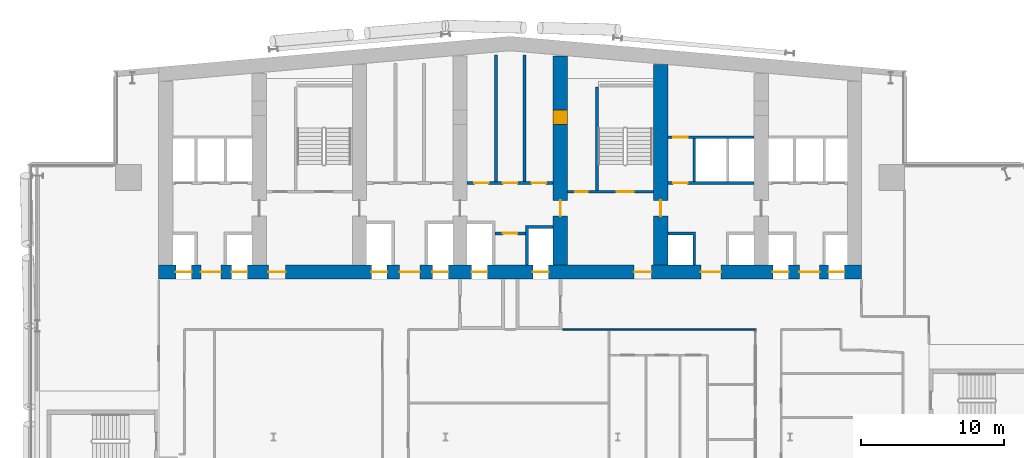
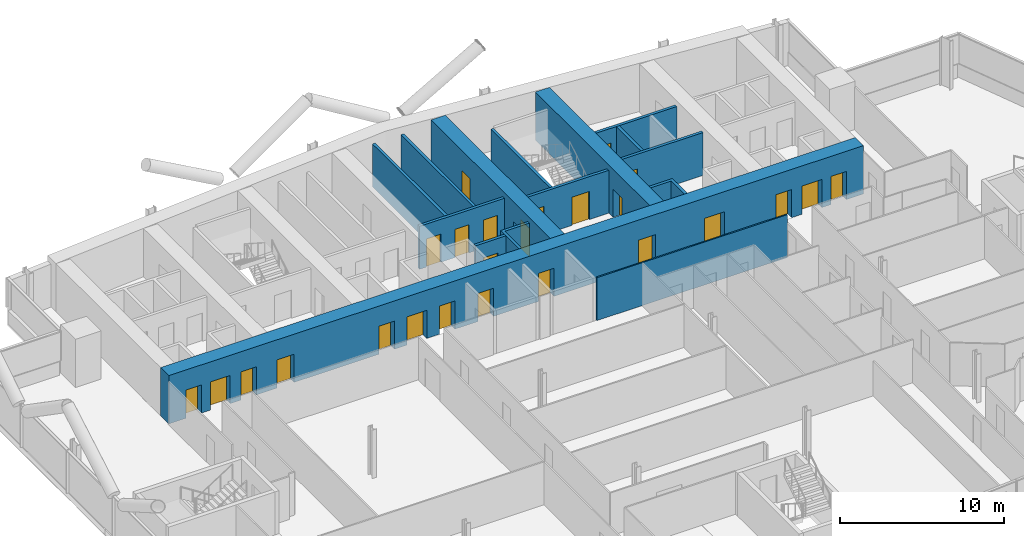
# One storey, part 17 of 27: 25 doors, 15 walls, 25 openings.
"""IFC4 building model written with IfcOpenShell, lengths in metres."""

from ifc_helpers import new_model, si_unit, direction, frame, frame_2d, origin, place, context, subcontext, project, spatial, polyline, rectangle, outline, extrude, material, layer, layer_set, type_object, element, fill, save


model = new_model("IFC4")

# Units and contexts
model_context = context("Model", 3, precision=1e-05, world=origin(), true_north=direction((0.0, 1.0)))
body_context = subcontext(model_context, "Body", "Model", "MODEL_VIEW")
ifc_project = project(units=[si_unit("LENGTHUNIT", "METRE"), si_unit("AREAUNIT", "SQUARE_METRE"), si_unit("VOLUMEUNIT", "CUBIC_METRE"), si_unit("PLANEANGLEUNIT", "RADIAN"), si_unit("MASSUNIT", "GRAM", prefix="KILO")], contexts=[model_context])

# Site, building, storey
site_placement = place(None, origin())
site = spatial("IfcSite", under=ifc_project, at=site_placement, CompositionType="ELEMENT")
building_placement = place(site_placement, origin())
building = spatial("IfcBuilding", under=site, at=building_placement, Name="Wharfspan Tower", CompositionType="ELEMENT")
storey_placement = place(building_placement, frame((0.0, 0.0, 118.300049)))
storey = spatial("IfcBuildingStorey", under=building, at=storey_placement, Name="L27", CompositionType="ELEMENT", Elevation=118.300049)

# Wall
ifc_material_1 = material(Name="Gypsum board on steel studs", Category="steel")
ifc_layer_1 = layer(ifc_material_1, 0.100098)
ifc_layer_set_1 = layer_set([ifc_layer_1], Name="Gypsum board on steel studs")
wall_type_1 = type_object("IfcWallType", Name="Compartment wall 100 EI 60", PredefinedType="PARTITIONING", material=ifc_layer_set_1)
wall_1_placement = place(storey_placement, frame((44.149902, 30.5, 0.0), z_axis=(0.0, 0.0, 1.0), x_axis=(1.0, 0.0, 0.0)))
element("IfcWall", 1, at=wall_1_placement, inside=storey, type_object=wall_type_1, Name="Partition L27.w020 (3)", PredefinedType="PARTITIONING", context=body_context, shape_type="SweptSolid", body=[
    extrude(rectangle(XDim=13.450195, YDim=0.100098, at=frame_2d((6.725098, 0.0))), origin(), (0.0, 0.0, 1.0), 3.199951),
])

# Wall, opening, door
ifc_material_2 = material(Name="Calcium silicate masonry", Category="masonry")
ifc_layer_2 = layer(ifc_material_2, 0.199951)
ifc_layer_set_2 = layer_set([ifc_layer_2], Name="Calcium silicate masonry")
wall_type_2 = type_object("IfcWallType", Name="Core room wall 200", PredefinedType="PARTITIONING", material=ifc_layer_set_2)
wall_2_placement = place(storey_placement, frame((39.43335, 37.199951, 0.0), z_axis=(0.0, 0.0, 1.0), x_axis=(1.0, 0.0, 0.0)))
wall_2 = element("IfcWall", 2, at=wall_2_placement, inside=storey, type_object=wall_type_2, Name="sw:L27:FR4.2", PredefinedType="PARTITIONING", context=body_context, shape_type="SweptSolid", body=[
    extrude(rectangle(XDim=2.133301, YDim=0.199951, at=frame_2d((1.06665, 0.0))), origin(), (0.0, 0.0, 1.0), 3.199951),
])
opening_1_placement = place(wall_2_placement, frame((0.56665, 0.0, 0.0)))
opening_1 = element("IfcOpeningElement", 3, at=opening_1_placement, cuts=wall_2, Name="Opening CD27.4H2", PredefinedType="OPENING", context=body_context, shape_type="SweptSolid", body=[
    extrude(rectangle(XDim=1.0, YDim=2.100098, at=frame_2d((0.5, 1.050049))), frame((0.0, 0.109863, 0.0), z_axis=(0.0, -1.0, 0.0), x_axis=(1.0, 0.0, 0.0)), (0.0, 0.0, 1.0), 0.219971),
])
ifc_material_3 = material(Name="Steel door leaf", Category="steel")
door_type_1 = type_object("IfcDoorType", Name="Core room door 1000x2100", OperationType="SINGLE_SWING_LEFT", PredefinedType="DOOR", material=ifc_material_3)
door_1_placement = place(opening_1_placement, origin())
door_1 = element("IfcDoor", 4, at=door_1_placement, inside=storey, type_object=door_type_1, Name="d:L27:4:fh4.2", OperationType="SINGLE_SWING_RIGHT", OverallHeight=2.100098, OverallWidth=1.0, PredefinedType="DOOR", context=body_context, shape_type="SweptSolid", body=[
    extrude(rectangle(XDim=1.0, YDim=2.100098, at=frame_2d((0.5, 1.050049))), frame((0.0, 0.024902, 0.0), z_axis=(0.0, -1.0, 0.0), x_axis=(1.0, 0.0, 0.0)), (0.0, 0.0, 1.0), 0.050049),
])
fill(opening_1, door_1)

# Walls
for number, where, z_axis, x_axis, name in (
    (5, (39.5, 40.800049, 0.0), (0.0, 0.0, 1.0), (0.0, 1.0, 0.0), "sw:L27:RP4.1"),
    (6, (41.5, 40.800049, 0.0), (0.0, 0.0, 1.0), (0.0, 1.0, 0.0), "sw:L27:RP4.2"),
):
    element("IfcWall", number, at=place(storey_placement, frame(where, z_axis=z_axis, x_axis=x_axis)), inside=storey, type_object=wall_type_2, Name=name, PredefinedType="PARTITIONING", context=body_context, shape_type="SweptSolid", body=[
        extrude(rectangle(XDim=8.844482, YDim=0.199951, at=frame_2d((4.422363, 0.0))), origin(), (0.0, 0.0, 1.0), 3.199951),
    ])

# Wall, openings, doors
ifc_material_4 = material(Name="Concrete C70/85", Category="concrete")
ifc_layer_3 = layer(ifc_material_4, 1.0)
ifc_layer_set_3 = layer_set([ifc_layer_3], Name="Concrete C70/85")
wall_type_3 = type_object("IfcWallType", Name="Core wall 1000 C70/85", PredefinedType="SHEAR", material=ifc_layer_set_3)
wall_3_placement = place(storey_placement, frame((16.0, 34.5, 0.0), z_axis=(0.0, 0.0, 1.0), x_axis=(1.0, 0.0, 0.0)))
wall_3 = element("IfcWall", 7, at=wall_3_placement, inside=storey, type_object=wall_type_3, Name="Core front wall L27", PredefinedType="SHEAR", context=body_context, shape_type="SweptSolid", body=[
    extrude(rectangle(XDim=49.0, YDim=1.0, at=frame_2d((24.5, 0.0))), origin(), (0.0, 0.0, 1.0), 3.599854),
])
opening_2_placement = place(wall_3_placement, frame((1.199951, 0.0, 0.0)))
opening_2 = element("IfcOpeningElement", 8, at=opening_2_placement, cuts=wall_3, Name="Opening LD.LA1.L27", PredefinedType="OPENING", context=body_context, shape_type="SweptSolid", body=[
    extrude(rectangle(XDim=1.100098, YDim=2.100098, at=frame_2d((0.550049, 1.050049))), frame((0.0, 0.51001, 0.0), z_axis=(0.0, -1.0, 0.0), x_axis=(1.0, 0.0, 0.0)), (0.0, 0.0, 1.0), 1.02002),
])
opening_3_placement = place(wall_3_placement, frame((5.083252, 0.0, 0.0)))
opening_3 = element("IfcOpeningElement", 9, at=opening_3_placement, cuts=wall_3, Name="Opening LD.LA2.L27", PredefinedType="OPENING", context=body_context, shape_type="SweptSolid", body=[
    extrude(rectangle(XDim=1.100098, YDim=2.100098, at=frame_2d((0.550049, 1.050049))), frame((0.0, 0.51001, 0.0), z_axis=(0.0, -1.0, 0.0), x_axis=(1.0, 0.0, 0.0)), (0.0, 0.0, 1.0), 1.02002),
])
opening_4_placement = place(wall_3_placement, frame((2.93335, 0.0, 0.0)))
opening_4 = element("IfcOpeningElement", 10, at=opening_4_placement, cuts=wall_3, Name="Opening HD27.1", PredefinedType="OPENING", context=body_context, shape_type="SweptSolid", body=[
    extrude(rectangle(XDim=1.399902, YDim=2.100098, at=frame_2d((0.699951, 1.050049))), frame((0.0, 0.51001, 0.0), z_axis=(0.0, -1.0, 0.0), x_axis=(1.0, 0.0, 0.0)), (0.0, 0.0, 1.0), 1.02002),
])
opening_5_placement = place(wall_3_placement, frame((7.649902, 0.0, 0.0)))
opening_5 = element("IfcOpeningElement", 11, at=opening_5_placement, cuts=wall_3, Name="Opening SV2.L27", PredefinedType="OPENING", context=body_context, shape_type="SweptSolid", body=[
    extrude(rectangle(XDim=1.199951, YDim=2.100098, at=frame_2d((0.600098, 1.050049))), frame((0.0, 0.51001, 0.0), z_axis=(0.0, -1.0, 0.0), x_axis=(1.0, 0.0, 0.0)), (0.0, 0.0, 1.0), 1.02002),
])
opening_6_placement = place(wall_3_placement, frame((14.81665, 0.0, 0.0)))
opening_6 = element("IfcOpeningElement", 12, at=opening_6_placement, cuts=wall_3, Name="Opening LD.SL1.L27", PredefinedType="OPENING", context=body_context, shape_type="SweptSolid", body=[
    extrude(rectangle(XDim=1.100098, YDim=2.100098, at=frame_2d((0.550049, 1.050049))), frame((0.0, 0.51001, 0.0), z_axis=(0.0, -1.0, 0.0), x_axis=(1.0, 0.0, 0.0)), (0.0, 0.0, 1.0), 1.02002),
])
opening_7_placement = place(wall_3_placement, frame((19.083252, 0.0, 0.0)))
opening_7 = element("IfcOpeningElement", 13, at=opening_7_placement, cuts=wall_3, Name="Opening LD.SL2.L27", PredefinedType="OPENING", context=body_context, shape_type="SweptSolid", body=[
    extrude(rectangle(XDim=1.100098, YDim=2.100098, at=frame_2d((0.550049, 1.050049))), frame((0.0, 0.51001, 0.0), z_axis=(0.0, -1.0, 0.0), x_axis=(1.0, 0.0, 0.0)), (0.0, 0.0, 1.0), 1.02002),
])
opening_8_placement = place(wall_3_placement, frame((16.800049, 0.0, 0.0)))
opening_8 = element("IfcOpeningElement", 14, at=opening_8_placement, cuts=wall_3, Name="Opening HD27.3", PredefinedType="OPENING", context=body_context, shape_type="SweptSolid", body=[
    extrude(rectangle(XDim=1.399902, YDim=2.100098, at=frame_2d((0.699951, 1.050049))), frame((0.0, 0.51001, 0.0), z_axis=(0.0, -1.0, 0.0), x_axis=(1.0, 0.0, 0.0)), (0.0, 0.0, 1.0), 1.02002),
])
opening_9_placement = place(wall_3_placement, frame((21.81665, 0.0, 0.0)))
opening_9 = element("IfcOpeningElement", 15, at=opening_9_placement, cuts=wall_3, Name="Opening LD.FF1.L27", PredefinedType="OPENING", context=body_context, shape_type="SweptSolid", body=[
    extrude(rectangle(XDim=1.100098, YDim=2.100098, at=frame_2d((0.550049, 1.050049))), frame((0.0, 0.51001, 0.0), z_axis=(0.0, -1.0, 0.0), x_axis=(1.0, 0.0, 0.0)), (0.0, 0.0, 1.0), 1.02002),
])
opening_10_placement = place(wall_3_placement, frame((26.083252, 0.0, 0.0)))
opening_10 = element("IfcOpeningElement", 16, at=opening_10_placement, cuts=wall_3, Name="Opening LD.FF2.L27", PredefinedType="OPENING", context=body_context, shape_type="SweptSolid", body=[
    extrude(rectangle(XDim=1.100098, YDim=2.100098, at=frame_2d((0.550049, 1.050049))), frame((0.0, 0.51001, 0.0), z_axis=(0.0, -1.0, 0.0), x_axis=(1.0, 0.0, 0.0)), (0.0, 0.0, 1.0), 1.02002),
])
opening_11_placement = place(wall_3_placement, frame((33.149902, 0.0, 0.0)))
opening_11 = element("IfcOpeningElement", 17, at=opening_11_placement, cuts=wall_3, Name="Opening SV5.L27", PredefinedType="OPENING", context=body_context, shape_type="SweptSolid", body=[
    extrude(rectangle(XDim=1.199951, YDim=2.100098, at=frame_2d((0.600098, 1.050049))), frame((0.0, 0.51001, 0.0), z_axis=(0.0, -1.0, 0.0), x_axis=(1.0, 0.0, 0.0)), (0.0, 0.0, 1.0), 1.02002),
])
opening_12_placement = place(wall_3_placement, frame((37.800049, 0.0, 0.0)))
opening_12 = element("IfcOpeningElement", 18, at=opening_12_placement, cuts=wall_3, Name="Opening HD27.6", PredefinedType="OPENING", context=body_context, shape_type="SweptSolid", body=[
    extrude(rectangle(XDim=1.399902, YDim=2.100098, at=frame_2d((0.699951, 1.050049))), frame((0.0, 0.51001, 0.0), z_axis=(0.0, -1.0, 0.0), x_axis=(1.0, 0.0, 0.0)), (0.0, 0.0, 1.0), 1.02002),
])
opening_13_placement = place(wall_3_placement, frame((42.81665, 0.0, 0.0)))
opening_13 = element("IfcOpeningElement", 19, at=opening_13_placement, cuts=wall_3, Name="Opening LD.LA6.L27", PredefinedType="OPENING", context=body_context, shape_type="SweptSolid", body=[
    extrude(rectangle(XDim=1.100098, YDim=2.100098, at=frame_2d((0.550049, 1.050049))), frame((0.0, 0.51001, 0.0), z_axis=(0.0, -1.0, 0.0), x_axis=(1.0, 0.0, 0.0)), (0.0, 0.0, 1.0), 1.02002),
])
opening_14_placement = place(wall_3_placement, frame((46.699951, 0.0, 0.0)))
opening_14 = element("IfcOpeningElement", 20, at=opening_14_placement, cuts=wall_3, Name="Opening LD.LA7.L27", PredefinedType="OPENING", context=body_context, shape_type="SweptSolid", body=[
    extrude(rectangle(XDim=1.100098, YDim=2.100098, at=frame_2d((0.550049, 1.050049))), frame((0.0, 0.51001, 0.0), z_axis=(0.0, -1.0, 0.0), x_axis=(1.0, 0.0, 0.0)), (0.0, 0.0, 1.0), 1.02002),
])
opening_15_placement = place(wall_3_placement, frame((44.666748, 0.0, 0.0)))
opening_15 = element("IfcOpeningElement", 21, at=opening_15_placement, cuts=wall_3, Name="Opening HD27.7", PredefinedType="OPENING", context=body_context, shape_type="SweptSolid", body=[
    extrude(rectangle(XDim=1.399902, YDim=2.100098, at=frame_2d((0.699951, 1.050049))), frame((0.0, 0.51001, 0.0), z_axis=(0.0, -1.0, 0.0), x_axis=(1.0, 0.0, 0.0)), (0.0, 0.0, 1.0), 1.02002),
])
door_type_2 = type_object("IfcDoorType", Name="Hall entry door 1400x2100", OperationType="DOUBLE_DOOR_SINGLE_SWING", PredefinedType="DOOR", material=ifc_material_3)
door_2_placement = place(opening_4_placement, origin())
door_2 = element("IfcDoor", 22, at=door_2_placement, inside=storey, type_object=door_type_2, Name="d:L27:1:hd1", OperationType="DOUBLE_DOOR_SINGLE_SWING", OverallHeight=2.100098, OverallWidth=1.399902, PredefinedType="DOOR", context=body_context, shape_type="SweptSolid", body=[
    extrude(rectangle(XDim=1.399902, YDim=2.100098, at=frame_2d((0.699951, 1.050049))), frame((0.0, 0.024902, 0.0), z_axis=(0.0, -1.0, 0.0), x_axis=(1.0, 0.0, 0.0)), (0.0, 0.0, 1.0), 0.050049),
])
fill(opening_4, door_2)
door_3_placement = place(opening_8_placement, origin())
door_3 = element("IfcDoor", 23, at=door_3_placement, inside=storey, type_object=door_type_2, Name="d:L27:3:hd3", OperationType="DOUBLE_DOOR_SINGLE_SWING", OverallHeight=2.100098, OverallWidth=1.399902, PredefinedType="DOOR", context=body_context, shape_type="SweptSolid", body=[
    extrude(rectangle(XDim=1.399902, YDim=2.100098, at=frame_2d((0.699951, 1.050049))), frame((0.0, 0.024902, 0.0), z_axis=(0.0, -1.0, 0.0), x_axis=(1.0, 0.0, 0.0)), (0.0, 0.0, 1.0), 0.050049),
])
fill(opening_8, door_3)
door_4_placement = place(opening_12_placement, origin())
door_4 = element("IfcDoor", 24, at=door_4_placement, inside=storey, type_object=door_type_2, Name="d:L27:6:hd6", OperationType="DOUBLE_DOOR_SINGLE_SWING", OverallHeight=2.100098, OverallWidth=1.399902, PredefinedType="DOOR", context=body_context, shape_type="SweptSolid", body=[
    extrude(rectangle(XDim=1.399902, YDim=2.100098, at=frame_2d((0.699951, 1.050049))), frame((0.0, 0.024902, 0.0), z_axis=(0.0, -1.0, 0.0), x_axis=(1.0, 0.0, 0.0)), (0.0, 0.0, 1.0), 0.050049),
])
fill(opening_12, door_4)
door_5_placement = place(opening_15_placement, origin())
door_5 = element("IfcDoor", 25, at=door_5_placement, inside=storey, type_object=door_type_2, Name="d:L27:7:hd7", OperationType="DOUBLE_DOOR_SINGLE_SWING", OverallHeight=2.100098, OverallWidth=1.399902, PredefinedType="DOOR", context=body_context, shape_type="SweptSolid", body=[
    extrude(rectangle(XDim=1.399902, YDim=2.100098, at=frame_2d((0.699951, 1.050049))), frame((0.0, 0.024902, 0.0), z_axis=(0.0, -1.0, 0.0), x_axis=(1.0, 0.0, 0.0)), (0.0, 0.0, 1.0), 0.050049),
])
fill(opening_15, door_5)
ifc_material_5 = material(Name="Stainless steel", Category="steel")
door_type_3 = type_object("IfcDoorType", Name="Lift landing door 1100x2100", OperationType="DOUBLE_DOOR_SLIDING", PredefinedType="DOOR", material=ifc_material_5)
door_6_placement = place(opening_2_placement, origin())
door_6 = element("IfcDoor", 26, at=door_6_placement, inside=storey, type_object=door_type_3, Name="Landing door LA1 L27", OperationType="DOUBLE_DOOR_SLIDING", OverallHeight=2.100098, OverallWidth=1.100098, PredefinedType="DOOR", context=body_context, shape_type="SweptSolid", body=[
    extrude(rectangle(XDim=1.100098, YDim=2.100098, at=frame_2d((0.550049, 1.050049))), frame((0.0, 0.024902, 0.0), z_axis=(0.0, -1.0, 0.0), x_axis=(1.0, 0.0, 0.0)), (0.0, 0.0, 1.0), 0.050049),
])
fill(opening_2, door_6)
door_7_placement = place(opening_3_placement, origin())
door_7 = element("IfcDoor", 27, at=door_7_placement, inside=storey, type_object=door_type_3, Name="Landing door LA2 L27", OperationType="DOUBLE_DOOR_SLIDING", OverallHeight=2.100098, OverallWidth=1.100098, PredefinedType="DOOR", context=body_context, shape_type="SweptSolid", body=[
    extrude(rectangle(XDim=1.100098, YDim=2.100098, at=frame_2d((0.550049, 1.050049))), frame((0.0, 0.024902, 0.0), z_axis=(0.0, -1.0, 0.0), x_axis=(1.0, 0.0, 0.0)), (0.0, 0.0, 1.0), 0.050049),
])
fill(opening_3, door_7)
door_8_placement = place(opening_6_placement, origin())
door_8 = element("IfcDoor", 28, at=door_8_placement, inside=storey, type_object=door_type_3, Name="Landing door SL1 L27", OperationType="DOUBLE_DOOR_SLIDING", OverallHeight=2.100098, OverallWidth=1.100098, PredefinedType="DOOR", context=body_context, shape_type="SweptSolid", body=[
    extrude(rectangle(XDim=1.100098, YDim=2.100098, at=frame_2d((0.550049, 1.050049))), frame((0.0, 0.024902, 0.0), z_axis=(0.0, -1.0, 0.0), x_axis=(1.0, 0.0, 0.0)), (0.0, 0.0, 1.0), 0.050049),
])
fill(opening_6, door_8)
door_9_placement = place(opening_7_placement, origin())
door_9 = element("IfcDoor", 29, at=door_9_placement, inside=storey, type_object=door_type_3, Name="Landing door SL2 L27", OperationType="DOUBLE_DOOR_SLIDING", OverallHeight=2.100098, OverallWidth=1.100098, PredefinedType="DOOR", context=body_context, shape_type="SweptSolid", body=[
    extrude(rectangle(XDim=1.100098, YDim=2.100098, at=frame_2d((0.550049, 1.050049))), frame((0.0, 0.024902, 0.0), z_axis=(0.0, -1.0, 0.0), x_axis=(1.0, 0.0, 0.0)), (0.0, 0.0, 1.0), 0.050049),
])
fill(opening_7, door_9)
door_10_placement = place(opening_9_placement, origin())
door_10 = element("IfcDoor", 30, at=door_10_placement, inside=storey, type_object=door_type_3, Name="Landing door FF1 L27", OperationType="DOUBLE_DOOR_SLIDING", OverallHeight=2.100098, OverallWidth=1.100098, PredefinedType="DOOR", context=body_context, shape_type="SweptSolid", body=[
    extrude(rectangle(XDim=1.100098, YDim=2.100098, at=frame_2d((0.550049, 1.050049))), frame((0.0, 0.024902, 0.0), z_axis=(0.0, -1.0, 0.0), x_axis=(1.0, 0.0, 0.0)), (0.0, 0.0, 1.0), 0.050049),
])
fill(opening_9, door_10)
door_11_placement = place(opening_10_placement, origin())
door_11 = element("IfcDoor", 31, at=door_11_placement, inside=storey, type_object=door_type_3, Name="Landing door FF2 L27", OperationType="DOUBLE_DOOR_SLIDING", OverallHeight=2.100098, OverallWidth=1.100098, PredefinedType="DOOR", context=body_context, shape_type="SweptSolid", body=[
    extrude(rectangle(XDim=1.100098, YDim=2.100098, at=frame_2d((0.550049, 1.050049))), frame((0.0, 0.024902, 0.0), z_axis=(0.0, -1.0, 0.0), x_axis=(1.0, 0.0, 0.0)), (0.0, 0.0, 1.0), 0.050049),
])
fill(opening_10, door_11)
door_12_placement = place(opening_13_placement, origin())
door_12 = element("IfcDoor", 32, at=door_12_placement, inside=storey, type_object=door_type_3, Name="Landing door LA6 L27", OperationType="DOUBLE_DOOR_SLIDING", OverallHeight=2.100098, OverallWidth=1.100098, PredefinedType="DOOR", context=body_context, shape_type="SweptSolid", body=[
    extrude(rectangle(XDim=1.100098, YDim=2.100098, at=frame_2d((0.550049, 1.050049))), frame((0.0, 0.024902, 0.0), z_axis=(0.0, -1.0, 0.0), x_axis=(1.0, 0.0, 0.0)), (0.0, 0.0, 1.0), 0.050049),
])
fill(opening_13, door_12)
door_13_placement = place(opening_14_placement, origin())
door_13 = element("IfcDoor", 33, at=door_13_placement, inside=storey, type_object=door_type_3, Name="Landing door LA7 L27", OperationType="DOUBLE_DOOR_SLIDING", OverallHeight=2.100098, OverallWidth=1.100098, PredefinedType="DOOR", context=body_context, shape_type="SweptSolid", body=[
    extrude(rectangle(XDim=1.100098, YDim=2.100098, at=frame_2d((0.550049, 1.050049))), frame((0.0, 0.024902, 0.0), z_axis=(0.0, -1.0, 0.0), x_axis=(1.0, 0.0, 0.0)), (0.0, 0.0, 1.0), 0.050049),
])
fill(opening_14, door_13)
door_type_4 = type_object("IfcDoorType", Name="Stair door 1200x2100", OperationType="SINGLE_SWING_LEFT", PredefinedType="DOOR", material=ifc_material_3)
door_14_placement = place(opening_5_placement, origin())
door_14 = element("IfcDoor", 34, at=door_14_placement, inside=storey, type_object=door_type_4, Name="vd:L27:2", OperationType="SINGLE_SWING_LEFT", OverallHeight=2.100098, OverallWidth=1.199951, PredefinedType="DOOR", context=body_context, shape_type="SweptSolid", body=[
    extrude(rectangle(XDim=1.199951, YDim=2.100098, at=frame_2d((0.600098, 1.050049))), frame((0.0, 0.024902, 0.0), z_axis=(0.0, -1.0, 0.0), x_axis=(1.0, 0.0, 0.0)), (0.0, 0.0, 1.0), 0.050049),
])
fill(opening_5, door_14)
door_15_placement = place(opening_11_placement, origin())
door_15 = element("IfcDoor", 35, at=door_15_placement, inside=storey, type_object=door_type_4, Name="vd:L27:5", OperationType="SINGLE_SWING_LEFT", OverallHeight=2.100098, OverallWidth=1.199951, PredefinedType="DOOR", context=body_context, shape_type="SweptSolid", body=[
    extrude(rectangle(XDim=1.199951, YDim=2.100098, at=frame_2d((0.600098, 1.050049))), frame((0.0, 0.024902, 0.0), z_axis=(0.0, -1.0, 0.0), x_axis=(1.0, 0.0, 0.0)), (0.0, 0.0, 1.0), 0.050049),
])
fill(opening_11, door_15)

wall_4_placement = place(storey_placement, frame((44.0, 35.0, 0.0), z_axis=(0.0, 0.0, 1.0), x_axis=(0.0, 1.0, 0.0)))
wall_4 = element("IfcWall", 36, at=wall_4_placement, inside=storey, type_object=wall_type_3, Name="Core cross wall X5 L27", PredefinedType="SHEAR", context=body_context, shape_type="SweptSolid", body=[
    extrude(rectangle(XDim=14.577148, YDim=1.0, at=frame_2d((7.288574, 0.0))), origin(), (0.0, 0.0, 1.0), 3.599854),
])
opening_16_placement = place(wall_4_placement, frame((3.399902, 0.0, 0.0)))
opening_16 = element("IfcOpeningElement", 37, at=opening_16_placement, cuts=wall_4, Name="Opening CC27.5", PredefinedType="OPENING", context=body_context, shape_type="SweptSolid", body=[
    extrude(rectangle(XDim=1.100098, YDim=2.100098, at=frame_2d((0.550049, 1.050049))), frame((0.0, 0.51001, 0.0), z_axis=(0.0, -1.0, 0.0), x_axis=(1.0, 0.0, 0.0)), (0.0, 0.0, 1.0), 1.02002),
])
opening_17_placement = place(wall_4_placement, frame((9.800049, 0.0, 0.0)))
opening_17 = element("IfcOpeningElement", 38, at=opening_17_placement, cuts=wall_4, Name="Opening CR27.5", PredefinedType="OPENING", context=body_context, shape_type="SweptSolid", body=[
    extrude(rectangle(XDim=1.0, YDim=2.100098, at=frame_2d((0.5, 1.050049))), frame((0.0, 0.51001, 0.0), z_axis=(0.0, -1.0, 0.0), x_axis=(1.0, 0.0, 0.0)), (0.0, 0.0, 1.0), 1.02002),
])
door_type_5 = type_object("IfcDoorType", Name="Core corridor door 1100x2100", OperationType="SINGLE_SWING_LEFT", PredefinedType="DOOR", material=ifc_material_3)
door_16_placement = place(opening_16_placement, origin())
door_16 = element("IfcDoor", 39, at=door_16_placement, inside=storey, type_object=door_type_5, Name="xd:L27:5", OperationType="SINGLE_SWING_LEFT", OverallHeight=2.100098, OverallWidth=1.100098, PredefinedType="DOOR", context=body_context, shape_type="SweptSolid", body=[
    extrude(rectangle(XDim=1.100098, YDim=2.100098, at=frame_2d((0.550049, 1.050049))), frame((0.0, 0.024902, 0.0), z_axis=(0.0, -1.0, 0.0), x_axis=(1.0, 0.0, 0.0)), (0.0, 0.0, 1.0), 0.050049),
])
fill(opening_16, door_16)
door_17_placement = place(opening_17_placement, origin())
door_17 = element("IfcDoor", 40, at=door_17_placement, inside=storey, type_object=door_type_1, Name="xr:L27:5", OperationType="SINGLE_SWING_RIGHT", OverallHeight=2.100098, OverallWidth=1.0, PredefinedType="DOOR", context=body_context, shape_type="SweptSolid", body=[
    extrude(rectangle(XDim=1.0, YDim=2.100098, at=frame_2d((0.5, 1.050049))), frame((0.0, 0.499756, 0.0), z_axis=(0.0, -1.0, 0.0), x_axis=(1.0, 0.0, 0.0)), (0.0, 0.0, 1.0), 0.999512),
])
fill(opening_17, door_17)

# Wall, opening, door
wall_5_placement = place(storey_placement, frame((51.0, 35.0, 0.0), z_axis=(0.0, 0.0, 1.0), x_axis=(0.0, 1.0, 0.0)))
wall_5 = element("IfcWall", 41, at=wall_5_placement, inside=storey, type_object=wall_type_3, Name="Core cross wall X6 L27", PredefinedType="SHEAR", context=body_context, shape_type="SweptSolid", body=[
    extrude(rectangle(XDim=13.9646, YDim=1.0, at=frame_2d((6.982422, 0.0))), origin(), (0.0, 0.0, 1.0), 3.599854),
])
opening_18_placement = place(wall_5_placement, frame((3.399902, 0.0, 0.0)))
opening_18 = element("IfcOpeningElement", 42, at=opening_18_placement, cuts=wall_5, Name="Opening CC27.6", PredefinedType="OPENING", context=body_context, shape_type="SweptSolid", body=[
    extrude(rectangle(XDim=1.100098, YDim=2.100098, at=frame_2d((0.550049, 1.050049))), frame((0.0, 0.51001, 0.0), z_axis=(0.0, -1.0, 0.0), x_axis=(1.0, 0.0, 0.0)), (0.0, 0.0, 1.0), 1.02002),
])
door_18_placement = place(opening_18_placement, origin())
door_18 = element("IfcDoor", 43, at=door_18_placement, inside=storey, type_object=door_type_5, Name="xd:L27:6", OperationType="SINGLE_SWING_RIGHT", OverallHeight=2.100098, OverallWidth=1.100098, PredefinedType="DOOR", context=body_context, shape_type="SweptSolid", body=[
    extrude(rectangle(XDim=1.100098, YDim=2.100098, at=frame_2d((0.550049, 1.050049))), frame((0.0, 0.024902, 0.0), z_axis=(0.0, -1.0, 0.0), x_axis=(1.0, 0.0, 0.0)), (0.0, 0.0, 1.0), 0.050049),
])
fill(opening_18, door_18)

# Wall, openings, doors
ifc_material_6 = material(Name="Concrete C30/37", Category="concrete")
ifc_layer_4 = layer(ifc_material_6, 0.199951)
ifc_layer_set_4 = layer_set([ifc_layer_4], Name="Concrete C30/37")
wall_type_4 = type_object("IfcWallType", Name="Lift shaft wall 200", PredefinedType="PARTITIONING", material=ifc_layer_set_4)
wall_6_placement = place(storey_placement, frame((37.5, 40.699951, 0.0), z_axis=(0.0, 0.0, 1.0), x_axis=(1.0, 0.0, 0.0)))
wall_6 = element("IfcWall", 44, at=wall_6_placement, inside=storey, type_object=wall_type_4, Name="sw:L27:RF4", PredefinedType="PARTITIONING", context=body_context, shape_type="SweptSolid", body=[
    extrude(rectangle(XDim=6.0, YDim=0.199951, at=frame_2d((3.0, 0.0))), origin(), (0.0, 0.0, 1.0), 3.199951),
])
opening_19_placement = place(wall_6_placement, frame((0.5, 0.0, 0.0)))
opening_19 = element("IfcOpeningElement", 45, at=opening_19_placement, cuts=wall_6, Name="Opening CD27.4S", PredefinedType="OPENING", context=body_context, shape_type="SweptSolid", body=[
    extrude(rectangle(XDim=1.0, YDim=2.100098, at=frame_2d((0.5, 1.050049))), frame((0.0, 0.109863, 0.0), z_axis=(0.0, -1.0, 0.0), x_axis=(1.0, 0.0, 0.0)), (0.0, 0.0, 1.0), 0.219971),
])
opening_20_placement = place(wall_6_placement, frame((2.5, 0.0, 0.0)))
opening_20 = element("IfcOpeningElement", 46, at=opening_20_placement, cuts=wall_6, Name="Opening CD27.4Sa", PredefinedType="OPENING", context=body_context, shape_type="SweptSolid", body=[
    extrude(rectangle(XDim=1.0, YDim=2.100098, at=frame_2d((0.5, 1.050049))), frame((0.0, 0.109863, 0.0), z_axis=(0.0, -1.0, 0.0), x_axis=(1.0, 0.0, 0.0)), (0.0, 0.0, 1.0), 0.219971),
])
opening_21_placement = place(wall_6_placement, frame((4.5, 0.0, 0.0)))
opening_21 = element("IfcOpeningElement", 47, at=opening_21_placement, cuts=wall_6, Name="Opening CD27.4Sb", PredefinedType="OPENING", context=body_context, shape_type="SweptSolid", body=[
    extrude(rectangle(XDim=1.0, YDim=2.100098, at=frame_2d((0.5, 1.050049))), frame((0.0, 0.109863, 0.0), z_axis=(0.0, -1.0, 0.0), x_axis=(1.0, 0.0, 0.0)), (0.0, 0.0, 1.0), 0.219971),
])
door_19_placement = place(opening_19_placement, origin())
door_19 = element("IfcDoor", 48, at=door_19_placement, inside=storey, type_object=door_type_1, Name="d:L27:4:sf", OperationType="SINGLE_SWING_LEFT", OverallHeight=2.100098, OverallWidth=1.0, PredefinedType="DOOR", context=body_context, shape_type="SweptSolid", body=[
    extrude(rectangle(XDim=1.0, YDim=2.100098, at=frame_2d((0.5, 1.050049))), frame((0.0, 0.024902, 0.0), z_axis=(0.0, -1.0, 0.0), x_axis=(1.0, 0.0, 0.0)), (0.0, 0.0, 1.0), 0.050049),
])
fill(opening_19, door_19)
door_20_placement = place(opening_20_placement, origin())
door_20 = element("IfcDoor", 49, at=door_20_placement, inside=storey, type_object=door_type_1, Name="d:L27:4:sf1", OperationType="SINGLE_SWING_LEFT", OverallHeight=2.100098, OverallWidth=1.0, PredefinedType="DOOR", context=body_context, shape_type="SweptSolid", body=[
    extrude(rectangle(XDim=1.0, YDim=2.100098, at=frame_2d((0.5, 1.050049))), frame((0.0, 0.024902, 0.0), z_axis=(0.0, -1.0, 0.0), x_axis=(1.0, 0.0, 0.0)), (0.0, 0.0, 1.0), 0.050049),
])
fill(opening_20, door_20)
door_21_placement = place(opening_21_placement, origin())
door_21 = element("IfcDoor", 50, at=door_21_placement, inside=storey, type_object=door_type_1, Name="d:L27:4:sf2", OperationType="SINGLE_SWING_LEFT", OverallHeight=2.100098, OverallWidth=1.0, PredefinedType="DOOR", context=body_context, shape_type="SweptSolid", body=[
    extrude(rectangle(XDim=1.0, YDim=2.100098, at=frame_2d((0.5, 1.050049))), frame((0.0, 0.024902, 0.0), z_axis=(0.0, -1.0, 0.0), x_axis=(1.0, 0.0, 0.0)), (0.0, 0.0, 1.0), 0.050049),
])
fill(opening_21, door_21)

# Wall
wall_7_placement = place(storey_placement, frame((0.0, 0.0, -0.000244)))
element("IfcWall", 51, at=wall_7_placement, inside=storey, type_object=wall_type_4, Name="sw:L27:FM4.0", PredefinedType="PARTITIONING", context=body_context, shape_type="SweptSolid", body=[
    extrude(outline(polyline([(41.56665, 37.75), (41.766602, 37.75), (43.5, 37.75), (43.5, 37.550049), (41.766602, 37.550049), (41.766602, 35.0), (41.56665, 35.0), (41.56665, 37.75)])), origin(), (0.0, 0.0, 1.0), 3.200195),
])

# Wall, opening, door
wall_8_placement = place(storey_placement, frame((51.5, 40.699951, 0.0), z_axis=(0.0, 0.0, 1.0), x_axis=(1.0, 0.0, 0.0)))
wall_8 = element("IfcWall", 52, at=wall_8_placement, inside=storey, type_object=wall_type_4, Name="sw:L27:RF6", PredefinedType="PARTITIONING", context=body_context, shape_type="SweptSolid", body=[
    extrude(rectangle(XDim=6.0, YDim=0.199951, at=frame_2d((3.0, 0.0))), origin(), (0.0, 0.0, 1.0), 3.199951),
])
opening_22_placement = place(wall_8_placement, frame((0.366699, 0.0, 0.0)))
opening_22 = element("IfcOpeningElement", 53, at=opening_22_placement, cuts=wall_8, Name="Opening CD27.6R1", PredefinedType="OPENING", context=body_context, shape_type="SweptSolid", body=[
    extrude(rectangle(XDim=1.0, YDim=2.100098, at=frame_2d((0.5, 1.050049))), frame((0.0, 0.109863, 0.0), z_axis=(0.0, -1.0, 0.0), x_axis=(1.0, 0.0, 0.0)), (0.0, 0.0, 1.0), 0.219971),
])
door_22_placement = place(opening_22_placement, origin())
door_22 = element("IfcDoor", 54, at=door_22_placement, inside=storey, type_object=door_type_1, Name="d:L27:6:rd6.1", OperationType="SINGLE_SWING_RIGHT", OverallHeight=2.100098, OverallWidth=1.0, PredefinedType="DOOR", context=body_context, shape_type="SweptSolid", body=[
    extrude(rectangle(XDim=1.0, YDim=2.100098, at=frame_2d((0.5, 1.050049))), frame((0.0, 0.024902, 0.0), z_axis=(0.0, -1.0, 0.0), x_axis=(1.0, 0.0, 0.0)), (0.0, 0.0, 1.0), 0.050049),
])
fill(opening_22, door_22)

wall_9_placement = place(storey_placement, frame((51.5, 43.899902, 0.0), z_axis=(0.0, 0.0, 1.0), x_axis=(1.0, 0.0, 0.0)))
wall_9 = element("IfcWall", 55, at=wall_9_placement, inside=storey, type_object=wall_type_4, Name="sw:L27:RR6", PredefinedType="PARTITIONING", context=body_context, shape_type="SweptSolid", body=[
    extrude(rectangle(XDim=6.0, YDim=0.199951, at=frame_2d((3.0, 0.0))), origin(), (0.0, 0.0, 1.0), 3.199951),
])
opening_23_placement = place(wall_9_placement, frame((0.366699, 0.0, 0.0)))
opening_23 = element("IfcOpeningElement", 56, at=opening_23_placement, cuts=wall_9, Name="Opening CD27.6S1", PredefinedType="OPENING", context=body_context, shape_type="SweptSolid", body=[
    extrude(rectangle(XDim=1.0, YDim=2.100098, at=frame_2d((0.5, 1.050049))), frame((0.0, 0.109863, 0.0), z_axis=(0.0, -1.0, 0.0), x_axis=(1.0, 0.0, 0.0)), (0.0, 0.0, 1.0), 0.219971),
])
door_23_placement = place(opening_23_placement, origin())
door_23 = element("IfcDoor", 57, at=door_23_placement, inside=storey, type_object=door_type_1, Name="d:L27:6:rs6.1", OperationType="SINGLE_SWING_LEFT", OverallHeight=2.100098, OverallWidth=1.0, PredefinedType="DOOR", context=body_context, shape_type="SweptSolid", body=[
    extrude(rectangle(XDim=1.0, YDim=2.100098, at=frame_2d((0.5, 1.050049))), frame((0.0, 0.024902, 0.0), z_axis=(0.0, -1.0, 0.0), x_axis=(1.0, 0.0, 0.0)), (0.0, 0.0, 1.0), 0.050049),
])
fill(opening_23, door_23)

# Walls
wall_10_placement = place(storey_placement, frame((0.0, 0.0, -0.000244)))
element("IfcWall", 58, at=wall_10_placement, inside=storey, type_object=wall_type_4, Name="sw:L27:FM6.0", PredefinedType="PARTITIONING", context=body_context, shape_type="SweptSolid", body=[
    extrude(outline(polyline([(53.233398, 37.100098), (51.5, 37.100098), (51.5, 37.300049), (53.233398, 37.300049), (53.43335, 37.300049), (53.43335, 35.0), (53.233398, 35.0), (53.233398, 37.100098)])), origin(), (0.0, 0.0, 1.0), 3.200195),
])
wall_11_placement = place(storey_placement, frame((0.0, 0.0, -0.000244)))
element("IfcWall", 59, at=wall_11_placement, inside=storey, type_object=wall_type_4, Name="sw:L27:RM6.0", PredefinedType="PARTITIONING", context=body_context, shape_type="SweptSolid", body=[
    extrude(outline(polyline([(53.233398, 40.800049), (53.233398, 43.800049), (53.43335, 43.800049), (53.43335, 40.800049), (53.233398, 40.800049)])), origin(), (0.0, 0.0, 1.0), 3.200195),
])

# Wall, openings, doors
ifc_material_7 = material(Name="Concrete C40/50", Category="concrete")
ifc_layer_5 = layer(ifc_material_7, 0.199951)
ifc_layer_set_5 = layer_set([ifc_layer_5], Name="Concrete C40/50")
wall_type_5 = type_object("IfcWallType", Name="Stair shaft wall 200", PredefinedType="SHEAR", material=ifc_layer_set_5)
wall_12_placement = place(storey_placement, frame((44.5, 40.100098, 0.0), z_axis=(0.0, 0.0, 1.0), x_axis=(1.0, 0.0, 0.0)))
wall_12 = element("IfcWall", 60, at=wall_12_placement, inside=storey, type_object=wall_type_5, Name="ST2 stair enclosure wall L27", PredefinedType="SHEAR", context=body_context, shape_type="SweptSolid", body=[
    extrude(rectangle(XDim=6.0, YDim=0.199951, at=frame_2d((3.0, 0.0))), origin(), (0.0, 0.0, 1.0), 3.199951),
])
opening_24_placement = place(wall_12_placement, frame((3.425049, 0.0, 0.0)))
opening_24 = element("IfcOpeningElement", 61, at=opening_24_placement, cuts=wall_12, Name="Opening SD5.L27", PredefinedType="OPENING", context=body_context, shape_type="SweptSolid", body=[
    extrude(rectangle(XDim=1.199951, YDim=2.100098, at=frame_2d((0.600098, 1.050049))), frame((0.0, 0.109863, 0.0), z_axis=(0.0, -1.0, 0.0), x_axis=(1.0, 0.0, 0.0)), (0.0, 0.0, 1.0), 0.219971),
])
opening_25_placement = place(wall_12_placement, frame((0.524902, 0.0, 0.0)))
opening_25 = element("IfcOpeningElement", 62, at=opening_25_placement, cuts=wall_12, Name="Opening CD27.5R", PredefinedType="OPENING", context=body_context, shape_type="SweptSolid", body=[
    extrude(rectangle(XDim=0.899902, YDim=2.100098, at=frame_2d((0.449951, 1.050049))), frame((0.0, 0.109863, 0.0), z_axis=(0.0, -1.0, 0.0), x_axis=(1.0, 0.0, 0.0)), (0.0, 0.0, 1.0), 0.219971),
])
door_24_placement = place(opening_25_placement, origin())
door_24 = element("IfcDoor", 63, at=door_24_placement, inside=storey, type_object=door_type_1, Name="rk:L27:5", OperationType="SINGLE_SWING_LEFT", OverallHeight=2.100098, OverallWidth=0.899902, PredefinedType="DOOR", context=body_context, shape_type="SweptSolid", body=[
    extrude(rectangle(XDim=0.899902, YDim=2.100098, at=frame_2d((0.449951, 1.050049))), frame((0.0, 0.024902, 0.0), z_axis=(0.0, -1.0, 0.0), x_axis=(1.0, 0.0, 0.0)), (0.0, 0.0, 1.0), 0.050049),
])
fill(opening_25, door_24)
door_25_placement = place(opening_24_placement, origin())
door_25 = element("IfcDoor", 64, at=door_25_placement, inside=storey, type_object=door_type_4, Name="sd:L27:5", OperationType="SINGLE_SWING_RIGHT", OverallHeight=2.100098, OverallWidth=1.199951, PredefinedType="DOOR", context=body_context, shape_type="SweptSolid", body=[
    extrude(rectangle(XDim=1.199951, YDim=2.100098, at=frame_2d((0.600098, 1.050049))), frame((0.0, 0.024902, 0.0), z_axis=(0.0, -1.0, 0.0), x_axis=(1.0, 0.0, 0.0)), (0.0, 0.0, 1.0), 0.050049),
])
fill(opening_24, door_25)

# Wall
wall_13_placement = place(storey_placement, frame((46.550049, 40.199951, 0.0), z_axis=(0.0, 0.0, 1.0), x_axis=(0.0, 1.0, 0.0)))
element("IfcWall", 65, at=wall_13_placement, inside=storey, type_object=wall_type_5, Name="ST2 stair enclosure wall L27", PredefinedType="SHEAR", context=body_context, shape_type="SweptSolid", body=[
    extrude(rectangle(XDim=7.199951, YDim=0.199951, at=frame_2d((3.600098, 0.0))), origin(), (0.0, 0.0, 1.0), 3.199951),
])

save(model, "model.ifc")
